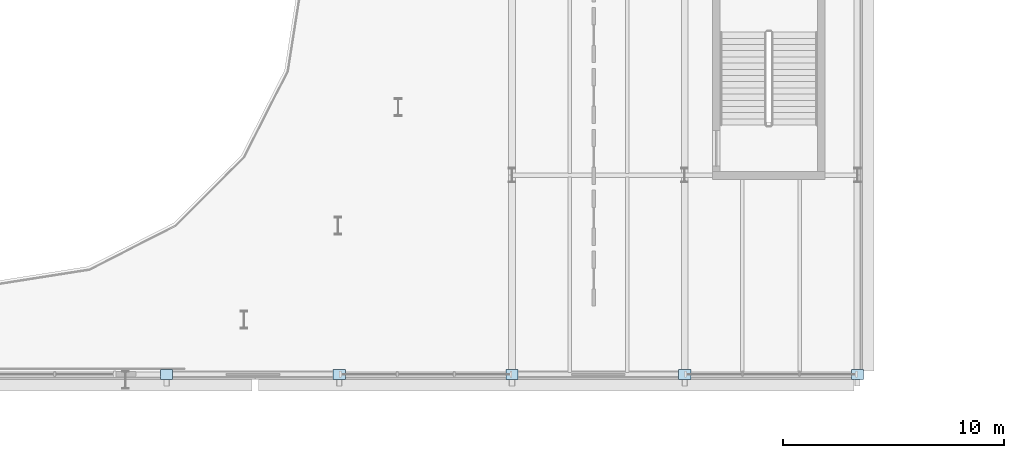
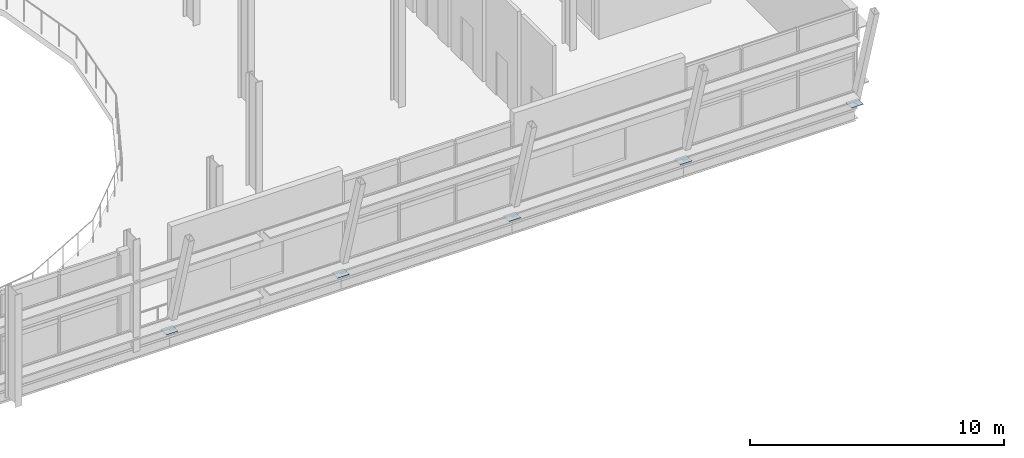
# One storey, part 47 of 78: 5 plates.
"""IFC4 building model written with IfcOpenShell, lengths in metres."""

from ifc_helpers import new_model, si_unit, direction, frame, origin, origin_2d, place, context, subcontext, project, spatial, rectangle, extrude, material, layer, layer_set, type_object, element, save


model = new_model("IFC4")

# Units and contexts
model_context = context("Model", 3, precision=1e-05, world=origin(), true_north=direction((0.0, 1.0)))
body_context = subcontext(model_context, "Body", "Model", "MODEL_VIEW")
ifc_project = project(units=[si_unit("LENGTHUNIT", "METRE"), si_unit("AREAUNIT", "SQUARE_METRE"), si_unit("VOLUMEUNIT", "CUBIC_METRE"), si_unit("PLANEANGLEUNIT", "RADIAN"), si_unit("MASSUNIT", "GRAM", prefix="KILO")], contexts=[model_context])

# Site, building, storey
site_placement = place(None, origin())
site = spatial("IfcSite", under=ifc_project, at=site_placement, CompositionType="ELEMENT")
building_placement = place(site_placement, origin())
building = spatial("IfcBuilding", under=site, at=building_placement, Name="Sefraquen Railside Congress Hotel", CompositionType="ELEMENT")
storey_placement = place(building_placement, frame((0.0, 0.0, 6.0)))
storey = spatial("IfcBuildingStorey", under=building, at=storey_placement, Name="L01", CompositionType="ELEMENT", Elevation=6.0)

# Plates
ifc_material = material(Name="Steel S355J2", Category="steel")
ifc_layer = layer(ifc_material, 0.050048828125)
ifc_layer_set = layer_set([ifc_layer], Name="Steel S355J2")
plate_type = type_object("IfcPlateType", Name="TP-BPL-01", PredefinedType="SHEET", material=ifc_layer_set)
for number, where, z_axis, x_axis, name in (
    (1, (72.0, 9.0, -0.02783203125), (0.0, 0.0, 1.0), (1.0, 0.0, 0.0), "Inclined column base knuckle plate S-10"),
    (2, (79.800048828125, 9.0, -0.02783203125), (0.0, 0.0, 1.0), (1.0, 0.0, 0.0), "Inclined column base knuckle plate S-11"),
    (3, (87.60009765625, 9.0, -0.02783203125), (0.0, 0.0, 1.0), (1.0, 0.0, 0.0), "Inclined column base knuckle plate S-12"),
    (4, (95.39990234375, 9.0, -0.02783203125), (0.0, 0.0, 1.0), (1.0, 0.0, 0.0), "Inclined column base knuckle plate S-13"),
    (5, (103.199951171875, 9.0, -0.02783203125), (0.0, 0.0, 1.0), (1.0, 0.0, 0.0), "Inclined column base knuckle plate S-14"),
):
    element("IfcPlate", number, at=place(storey_placement, frame(where, z_axis=z_axis, x_axis=x_axis)), inside=storey, type_object=plate_type, Name=name, PredefinedType="SHEET", context=body_context, shape_type="SweptSolid", body=[
        extrude(rectangle(XDim=0.550048828125, YDim=0.449951171875, at=origin_2d()), origin(), (0.0, 0.0, 1.0), 0.011962890625),
    ])

save(model, "model.ifc")
